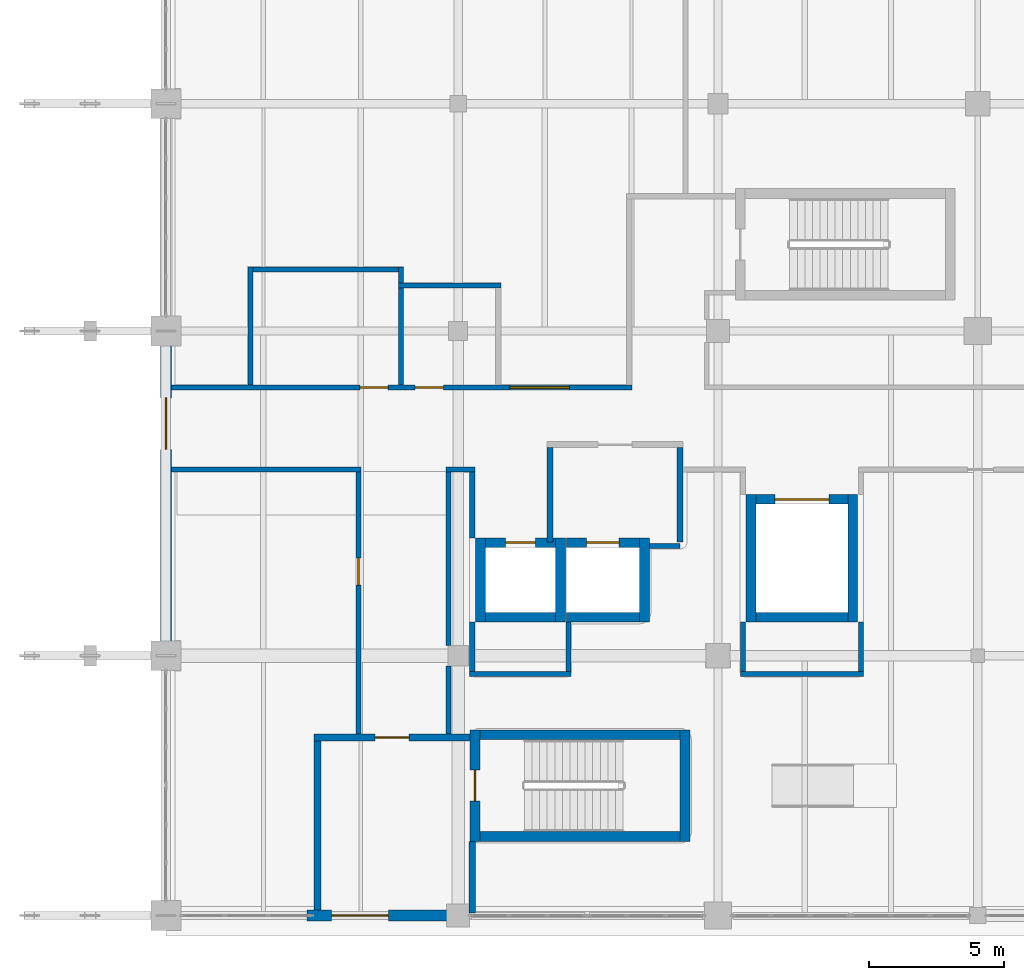
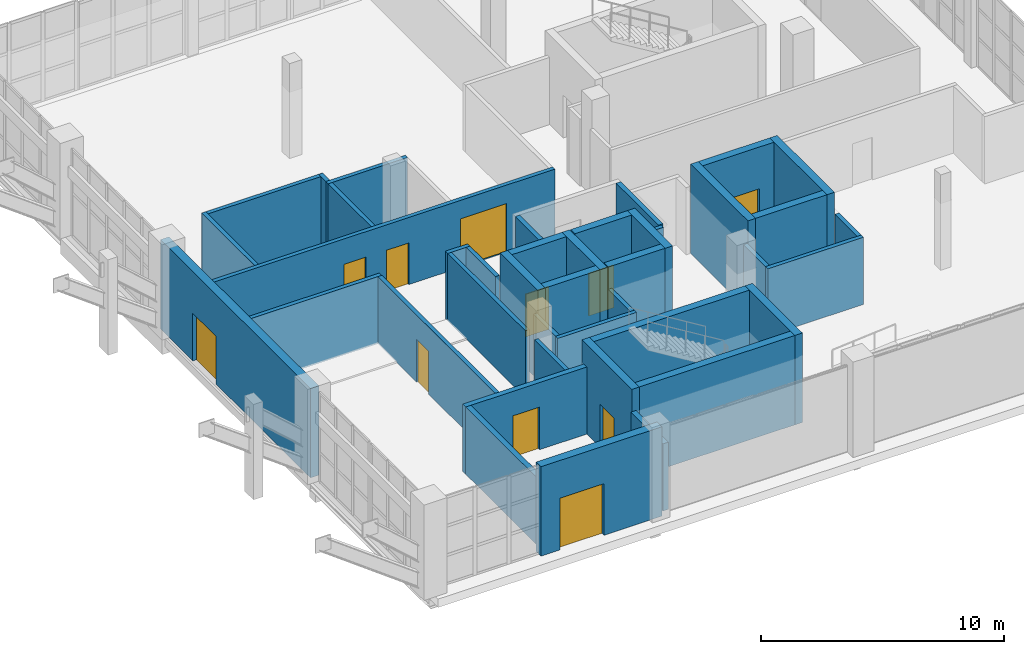
# One storey, part 98 of 121: 40 walls, 11 doors, 11 openings.
"""IFC4 building model written with IfcOpenShell, lengths in metres."""

import ifcopenshell
import ifcopenshell.guid

model = None  # the IFC model being written
_history = None  # IfcOwnerHistory: only IFC2X3 demands one
_inside = {}  # id of a spatial element -> (the spatial element, [elements in it])
_under = {}  # id of a project, library or spatial element -> (it, [spatial elements below it])
_declared = {}  # id of a project -> (the project, [libraries it declares])
_typed = {}  # id of a type object -> (the type object, [elements of that type])
_made_of = {}  # id of a material, layer set ... -> (it, [elements and type objects made of it])


def new_model(schema):
    """Start an empty IFC model of exactly this schema.

    Asked for "IFC4X3", IfcOpenShell would pick the latest addendum, in which some entities
    have other attributes; the version numbers below select the first issue.
    IFC2X3 requires an IfcOwnerHistory on every rooted entity: one is made here for all.
    """
    global model, _history
    if schema == "IFC4X3":
        model = ifcopenshell.file(schema_version=(4, 3, 0, 0))
    else:
        model = ifcopenshell.file(schema=schema)
    _inside.clear()
    _under.clear()
    _declared.clear()
    _typed.clear()
    _made_of.clear()
    _history = None
    if model.schema == "IFC2X3":
        org = make("IfcOrganization", Name="unknown")
        user = make(
            "IfcPersonAndOrganization",
            ThePerson=make("IfcPerson", FamilyName="unknown"),
            TheOrganization=org,
        )
        app = make(
            "IfcApplication",
            ApplicationDeveloper=org,
            Version="unknown",
            ApplicationFullName="unknown",
            ApplicationIdentifier="unknown",
        )
        _history = make(
            "IfcOwnerHistory",
            OwningUser=user,
            OwningApplication=app,
            ChangeAction="ADDED",
            CreationDate=0,
        )
    return model


def make(cls, **values):
    """One entity of the class cls with the attributes given. An attribute that is None is left unset."""
    return model.create_entity(
        cls, **{name: value for name, value in values.items() if value is not None}
    )


def rooted(cls, **values):
    """An entity with a GlobalId (a new one), such as an element, a storey or a relation."""
    return make(cls, GlobalId=ifcopenshell.guid.new(), OwnerHistory=_history, **values)


def si_unit(unit_type, name, prefix=None):
    """IfcSIUnit, for example si_unit("LENGTHUNIT", "METRE", prefix="MILLI")."""
    return make("IfcSIUnit", UnitType=unit_type, Prefix=prefix, Name=name)


def assignment(units):
    """IfcUnitAssignment: the units of a project."""
    return None if units is None else make("IfcUnitAssignment", Units=units)


def point(xyz):
    """IfcCartesianPoint."""
    return None if xyz is None else make("IfcCartesianPoint", Coordinates=xyz)


def direction(xyz):
    """IfcDirection."""
    return None if xyz is None else make("IfcDirection", DirectionRatios=xyz)


def frame(location, z_axis=None, x_axis=None):
    """IfcAxis2Placement3D, a coordinate frame: its origin and axes. An axis left out is left unset."""
    return make(
        "IfcAxis2Placement3D",
        Location=point(location),
        Axis=direction(z_axis),
        RefDirection=direction(x_axis),
    )


def frame_2d(location, x_axis=None):
    """IfcAxis2Placement2D, a coordinate frame in the plane: its origin and x axis."""
    return make(
        "IfcAxis2Placement2D", Location=point(location), RefDirection=direction(x_axis)
    )


def origin():
    """The frame at (0, 0, 0) with its axes left unset."""
    return frame((0.0, 0.0, 0.0))


def place(relative_to, where):
    """IfcLocalPlacement: puts the frame where relative to a parent placement (None: the world)."""
    return make(
        "IfcLocalPlacement", PlacementRelTo=relative_to, RelativePlacement=where
    )


def context(
    kind, dimensions, precision=None, world=None, true_north=None, identifier=None
):
    """IfcGeometricRepresentationContext, for example the 3D "Model" context."""
    return make(
        "IfcGeometricRepresentationContext",
        ContextIdentifier=identifier,
        ContextType=kind,
        CoordinateSpaceDimension=dimensions,
        Precision=precision,
        WorldCoordinateSystem=world,
        TrueNorth=true_north,
    )


def subcontext(parent, identifier, kind, view, scale=None):
    """IfcGeometricRepresentationSubContext, for example "Body" below "Model"."""
    return make(
        "IfcGeometricRepresentationSubContext",
        ContextIdentifier=identifier,
        ContextType=kind,
        ParentContext=parent,
        TargetScale=scale,
        TargetView=view,
    )


def project(units=None, contexts=None):
    """IfcProject with its units and contexts."""
    return rooted(
        "IfcProject",
        Name="project",
        RepresentationContexts=contexts,
        UnitsInContext=assignment(units),
    )


def spatial(cls, under=None, at=None, **own):
    """A site, building, storey or space (cls), placed at a placement, below another one or the project."""
    s = rooted(cls, ObjectPlacement=at, **own)
    if under is not None:
        _under.setdefault(under.id(), (under, []))[1].append(s)
    return s


def profile(cls, at=None, kind="AREA", **sizes):
    """A parametric profile (cls). Its sizes go by their IFC names, for example OverallWidth=200.0."""
    return make(cls, ProfileType=kind, Position=at, **sizes)


def rectangle(**sizes):
    """IfcRectangleProfileDef."""
    return profile("IfcRectangleProfileDef", **sizes)


def extrude(swept, where, along, depth):
    """IfcExtrudedAreaSolid: the profile swept, set in the frame where, extruded along a direction by depth."""
    return make(
        "IfcExtrudedAreaSolid",
        SweptArea=swept,
        Position=where,
        ExtrudedDirection=direction(along),
        Depth=depth,
    )


def shape(context_of_items, identifier, shape_type, items):
    """IfcShapeRepresentation: the items that make up one representation, for example the "Body"."""
    return make(
        "IfcShapeRepresentation",
        ContextOfItems=context_of_items,
        RepresentationIdentifier=identifier,
        RepresentationType=shape_type,
        Items=items,
    )


def material(Name=None, Category=None):
    """IfcMaterial."""
    return make("IfcMaterial", Name=Name, Category=Category)


def layer(
    of_material, thickness, ventilated=None, Name=None, Category=None, Priority=None
):
    """IfcMaterialLayer: one layer of a wall or slab, of a material (None: an air gap)."""
    return make(
        "IfcMaterialLayer",
        Material=of_material,
        LayerThickness=thickness,
        IsVentilated=ventilated,
        Name=Name,
        Category=Category,
        Priority=Priority,
    )


def layer_set(layers, Name=None):
    """IfcMaterialLayerSet."""
    return make("IfcMaterialLayerSet", MaterialLayers=layers, LayerSetName=Name)


def made_of(thing, what):
    """Note that an element or type object is made of a material, layer set ...; save() writes the relation."""
    if what is not None:
        _made_of.setdefault(what.id(), (what, []))[1].append(thing)
    return thing


def type_object(cls, material=None, **own):
    """A type object (cls), such as IfcWallType, which elements share."""
    return made_of(rooted(cls, **own), material)


def element(
    cls,
    number,
    at=None,
    inside=None,
    cuts=None,
    type_object=None,
    material=None,
    context=None,
    identifier="Body",
    shape_type=None,
    held_by="IfcProductDefinitionShape",
    body=None,
    shapes=None,
    **own,
):
    """One element of the class cls, such as IfcWall. Its Tag is "e" and its number.

    at: its placement. inside: the storey or other place that contains it. cuts: it is an
    opening in that element (IfcRelVoidsElement). A single representation is given by context,
    identifier, shape_type and body (its items); several are given by shapes. held_by: the class
    of the entity that holds the representations. save() writes the other relations.
    """
    e = rooted(cls, Tag="e%d" % number, ObjectPlacement=at, **own)
    if body is not None:
        shapes = [shape(context, identifier, shape_type, body)]
    if shapes is not None:
        e.Representation = make(held_by, Representations=shapes)
    if inside is not None:
        _inside.setdefault(inside.id(), (inside, []))[1].append(e)
    if cuts is not None:
        rooted(
            "IfcRelVoidsElement", RelatingBuildingElement=cuts, RelatedOpeningElement=e
        )
    if type_object is not None:
        _typed.setdefault(type_object.id(), (type_object, []))[1].append(e)
    return made_of(e, material)


def fill(opening, filler):
    """IfcRelFillsElement: the door or window that sits in an opening."""
    return rooted(
        "IfcRelFillsElement",
        RelatingOpeningElement=opening,
        RelatedBuildingElement=filler,
    )


def aggregate(whole, parts):
    """IfcRelAggregates: a whole, such as a stair, and the parts it consists of."""
    return rooted("IfcRelAggregates", RelatingObject=whole, RelatedObjects=parts)


def save(model, path):
    """Write the relations noted so far, then the file.

    IfcRelAggregates (storeys below a building ...), IfcRelContainedInSpatialStructure (elements
    in a storey), IfcRelDefinesByType, IfcRelAssociatesMaterial and IfcRelDeclares: one each for
    every whole, place, type object, material and project.
    """
    for whole, parts in _under.values():
        aggregate(whole, parts)
    for where, things in _inside.values():
        rooted(
            "IfcRelContainedInSpatialStructure",
            RelatedElements=things,
            RelatingStructure=where,
        )
    for kind, things in _typed.values():
        rooted("IfcRelDefinesByType", RelatedObjects=things, RelatingType=kind)
    for what, things in _made_of.values():
        rooted("IfcRelAssociatesMaterial", RelatedObjects=things, RelatingMaterial=what)
    for by, libraries in _declared.values():
        rooted("IfcRelDeclares", RelatingContext=by, RelatedDefinitions=libraries)
    model.write(path)


model = new_model("IFC4")

# Units and contexts
model_context = context("Model", 3, precision=1e-05, world=origin(), true_north=direction((0.0, 1.0)))
body_context = subcontext(model_context, "Body", "Model", "MODEL_VIEW")
ifc_project = project(units=[si_unit("LENGTHUNIT", "METRE"), si_unit("AREAUNIT", "SQUARE_METRE"), si_unit("VOLUMEUNIT", "CUBIC_METRE"), si_unit("PLANEANGLEUNIT", "RADIAN"), si_unit("MASSUNIT", "GRAM", prefix="KILO")], contexts=[model_context])

# Site, building, storey
site_placement = place(None, origin())
site = spatial("IfcSite", under=ifc_project, at=site_placement, CompositionType="ELEMENT")
building_placement = place(site_placement, origin())
building = spatial("IfcBuilding", under=site, at=building_placement, Name="Zereglee Splitstone Museum", CompositionType="ELEMENT")
storey_placement = place(building_placement, origin())
storey = spatial("IfcBuildingStorey", under=building, at=storey_placement, Name="L00", CompositionType="ELEMENT", Elevation=0.0)

# Wall, opening, door
ifc_material_1 = material(Name="Concrete C45/55", Category="concrete")
ifc_layer_1 = layer(ifc_material_1, 0.360107421875)
ifc_layer_set_1 = layer_set([ifc_layer_1], Name="Concrete C45/55")
wall_type_1 = type_object("IfcWallType", Name="CSW-02", PredefinedType="SHEAR", material=ifc_layer_set_1)
wall_1_placement = place(storey_placement, frame((21.02001953125, 2.739990234375, 0.0), z_axis=(0.0, 0.0, 1.0), x_axis=(0.0, 1.0, 0.0)))
wall_1 = element("IfcWall", 1, at=wall_1_placement, inside=storey, type_object=wall_type_1, Name="Stair Core Shear Wall ST-01 L00 West", PredefinedType="SHEAR", context=body_context, shape_type="SweptSolid", body=[
    extrude(rectangle(XDim=4.1201171875, YDim=0.360107421875, at=frame_2d((2.06005859375, 0.0))), origin(), (0.0, 0.0, 1.0), 4.5),
])
opening_1_placement = place(wall_1_placement, frame((1.485107421875, 0.0, 0.0)))
opening_1 = element("IfcOpeningElement", 2, at=opening_1_placement, cuts=wall_1, Name="Opening ID-03", PredefinedType="OPENING", context=body_context, shape_type="SweptSolid", body=[
    extrude(rectangle(XDim=1.14990234375, YDim=2.14990234375, at=frame_2d((0.574951171875, 1.074951171875))), frame((0.0, 0.19482421875, 0.0), z_axis=(0.0, -1.0, 0.0), x_axis=(1.0, 0.0, 0.0)), (0.0, 0.0, 1.0), 0.389892578125),
])
ifc_material_2 = material(Name="Fire-rated steel and Siberian larch leaf", Category="steel")
door_type_1 = type_object("IfcDoorType", Name="ID-03", OperationType="NOTDEFINED", PredefinedType="DOOR", material=ifc_material_2)
door_1_placement = place(opening_1_placement, origin())
door_1 = element("IfcDoor", 3, at=door_1_placement, inside=storey, type_object=door_type_1, Name="Protected Stair Fire Door ST-01 L00", OperationType="SINGLE_SWING_RIGHT", OverallHeight=2.14990234375, OverallWidth=1.14990234375, PredefinedType="DOOR", context=body_context, shape_type="SweptSolid", body=[
    extrude(rectangle(XDim=1.14990234375, YDim=2.14990234375, at=frame_2d((0.574951171875, 1.074951171875))), frame((0.0, 0.02490234375, 0.0), z_axis=(0.0, -1.0, 0.0), x_axis=(1.0, 0.0, 0.0)), (0.0, 0.0, 1.0), 0.050048828125),
])
fill(opening_1, door_1)

# Walls
wall_2_placement = place(storey_placement, frame((28.780029296875, 2.739990234375, 0.0), z_axis=(0.0, 0.0, 1.0), x_axis=(0.0, 1.0, 0.0)))
element("IfcWall", 4, at=wall_2_placement, inside=storey, type_object=wall_type_1, Name="Stair Core Shear Wall ST-01 L00 East", PredefinedType="SHEAR", context=body_context, shape_type="SweptSolid", body=[
    extrude(rectangle(XDim=4.1201171875, YDim=0.360107421875, at=frame_2d((2.06005859375, 0.0))), origin(), (0.0, 0.0, 1.0), 4.5),
])
for number, where, z_axis, x_axis, name in (
    (5, (21.199951171875, 6.679931640625, 0.0), (0.0, 0.0, 1.0), (1.0, 0.0, 0.0), "Stair Core Shear Wall ST-01 L00 North"),
    (6, (21.199951171875, 2.919921875, 0.0), (0.0, 0.0, 1.0), (1.0, 0.0, 0.0), "Stair Core Shear Wall ST-01 L00 South"),
):
    element("IfcWall", number, at=place(storey_placement, frame(where, z_axis=z_axis, x_axis=x_axis)), inside=storey, type_object=wall_type_1, Name=name, PredefinedType="SHEAR", context=body_context, shape_type="SweptSolid", body=[
        extrude(rectangle(XDim=7.400146484375, YDim=0.360107421875, at=frame_2d((3.7001953125, 0.0))), origin(), (0.0, 0.0, 1.0), 4.5),
    ])

# Wall, opening, door
wall_3_placement = place(storey_placement, frame((21.39990234375, 13.780029296875, 0.0), z_axis=(0.0, 0.0, 1.0), x_axis=(1.0, 0.0, 0.0)))
wall_3 = element("IfcWall", 7, at=wall_3_placement, inside=storey, type_object=wall_type_1, Name="Lift Shaft Wall PL-01 L00 North", PredefinedType="SHEAR", context=body_context, shape_type="SweptSolid", body=[
    extrude(rectangle(XDim=2.60009765625, YDim=0.360107421875, at=frame_2d((1.300048828125, 0.0))), origin(), (0.0, 0.0, 1.0), 4.5),
])
opening_2_placement = place(wall_3_placement, frame((0.75, 0.0, 0.0)))
opening_2 = element("IfcOpeningElement", 8, at=opening_2_placement, cuts=wall_3, Name="Opening LD-01", PredefinedType="OPENING", context=body_context, shape_type="SweptSolid", body=[
    extrude(rectangle(XDim=1.10009765625, YDim=2.14990234375, at=frame_2d((0.550048828125, 1.074951171875))), frame((0.0, 0.19482421875, 0.0), z_axis=(0.0, -1.0, 0.0), x_axis=(1.0, 0.0, 0.0)), (0.0, 0.0, 1.0), 0.389892578125),
])
door_type_2 = type_object("IfcDoorType", Name="LD-01", OperationType="DOUBLE_DOOR_SLIDING", PredefinedType="DOOR", material=ifc_material_2)
door_2_placement = place(opening_2_placement, origin())
door_2 = element("IfcDoor", 9, at=door_2_placement, inside=storey, type_object=door_type_2, Name="Lift Landing Sliding Door PL-01 L00", OperationType="DOUBLE_DOOR_SLIDING", OverallHeight=2.14990234375, OverallWidth=1.10009765625, PredefinedType="DOOR", context=body_context, shape_type="SweptSolid", body=[
    extrude(rectangle(XDim=1.10009765625, YDim=2.14990234375, at=frame_2d((0.550048828125, 1.074951171875))), frame((0.0, 0.02490234375, 0.0), z_axis=(0.0, -1.0, 0.0), x_axis=(1.0, 0.0, 0.0)), (0.0, 0.0, 1.0), 0.050048828125),
])
fill(opening_2, door_2)

# Walls
wall_4_placement = place(storey_placement, frame((21.39990234375, 11.02001953125, 0.0), z_axis=(0.0, 0.0, 1.0), x_axis=(1.0, 0.0, 0.0)))
element("IfcWall", 10, at=wall_4_placement, inside=storey, type_object=wall_type_1, Name="Lift Shaft Wall PL-01 L00 South", PredefinedType="SHEAR", context=body_context, shape_type="SweptSolid", body=[
    extrude(rectangle(XDim=2.60009765625, YDim=0.360107421875, at=frame_2d((1.300048828125, 0.0))), origin(), (0.0, 0.0, 1.0), 4.5),
])
for number, where, z_axis, x_axis, name in (
    (11, (21.219970703125, 10.840087890625, 0.0), (0.0, 0.0, 1.0), (0.0, 1.0, 0.0), "Lift Shaft Wall PL-01 L00 West"),
    (12, (24.179931640625, 10.840087890625, 0.0), (0.0, 0.0, 1.0), (0.0, 1.0, 0.0), "Lift Shaft Wall PL-01 L00 East"),
):
    element("IfcWall", number, at=place(storey_placement, frame(where, z_axis=z_axis, x_axis=x_axis)), inside=storey, type_object=wall_type_1, Name=name, PredefinedType="SHEAR", context=body_context, shape_type="SweptSolid", body=[
        extrude(rectangle(XDim=3.119873046875, YDim=0.360107421875, at=frame_2d((1.56005859375, 0.0))), origin(), (0.0, 0.0, 1.0), 4.5),
    ])

# Wall, opening, door
wall_5_placement = place(storey_placement, frame((24.39990234375, 13.780029296875, 0.0), z_axis=(0.0, 0.0, 1.0), x_axis=(1.0, 0.0, 0.0)))
wall_5 = element("IfcWall", 13, at=wall_5_placement, inside=storey, type_object=wall_type_1, Name="Lift Shaft Wall FL-01 L00 North", PredefinedType="SHEAR", context=body_context, shape_type="SweptSolid", body=[
    extrude(rectangle(XDim=2.7001953125, YDim=0.360107421875, at=frame_2d((1.35009765625, 0.0))), origin(), (0.0, 0.0, 1.0), 4.5),
])
opening_3_placement = place(wall_5_placement, frame((0.75, 0.0, 0.0)))
opening_3 = element("IfcOpeningElement", 14, at=opening_3_placement, cuts=wall_5, Name="Opening LD-02", PredefinedType="OPENING", context=body_context, shape_type="SweptSolid", body=[
    extrude(rectangle(XDim=1.199951171875, YDim=2.14990234375, at=frame_2d((0.60009765625, 1.074951171875))), frame((0.0, 0.19482421875, 0.0), z_axis=(0.0, -1.0, 0.0), x_axis=(1.0, 0.0, 0.0)), (0.0, 0.0, 1.0), 0.389892578125),
])
door_type_3 = type_object("IfcDoorType", Name="LD-02", OperationType="DOUBLE_DOOR_SLIDING", PredefinedType="DOOR", material=ifc_material_2)
door_3_placement = place(opening_3_placement, origin())
door_3 = element("IfcDoor", 15, at=door_3_placement, inside=storey, type_object=door_type_3, Name="Lift Landing Sliding Door FL-01 L00", OperationType="DOUBLE_DOOR_SLIDING", OverallHeight=2.14990234375, OverallWidth=1.199951171875, PredefinedType="DOOR", context=body_context, shape_type="SweptSolid", body=[
    extrude(rectangle(XDim=1.199951171875, YDim=2.14990234375, at=frame_2d((0.60009765625, 1.074951171875))), frame((0.0, 0.02490234375, 0.0), z_axis=(0.0, -1.0, 0.0), x_axis=(1.0, 0.0, 0.0)), (0.0, 0.0, 1.0), 0.050048828125),
])
fill(opening_3, door_3)

# Walls
wall_6_placement = place(storey_placement, frame((24.39990234375, 11.02001953125, 0.0), z_axis=(0.0, 0.0, 1.0), x_axis=(1.0, 0.0, 0.0)))
element("IfcWall", 16, at=wall_6_placement, inside=storey, type_object=wall_type_1, Name="Lift Shaft Wall FL-01 L00 South", PredefinedType="SHEAR", context=body_context, shape_type="SweptSolid", body=[
    extrude(rectangle(XDim=2.7001953125, YDim=0.360107421875, at=frame_2d((1.35009765625, 0.0))), origin(), (0.0, 0.0, 1.0), 4.5),
])
wall_7_placement = place(storey_placement, frame((27.280029296875, 10.840087890625, 0.0), z_axis=(0.0, 0.0, 1.0), x_axis=(0.0, 1.0, 0.0)))
element("IfcWall", 17, at=wall_7_placement, inside=storey, type_object=wall_type_1, Name="Lift Shaft Wall FL-01 L00 East", PredefinedType="SHEAR", context=body_context, shape_type="SweptSolid", body=[
    extrude(rectangle(XDim=3.119873046875, YDim=0.360107421875, at=frame_2d((1.56005859375, 0.0))), origin(), (0.0, 0.0, 1.0), 4.5),
])

# Wall, opening, door
wall_8_placement = place(storey_placement, frame((31.39990234375, 15.3798828125, 0.0), z_axis=(0.0, 0.0, 1.0), x_axis=(1.0, 0.0, 0.0)))
wall_8 = element("IfcWall", 18, at=wall_8_placement, inside=storey, type_object=wall_type_1, Name="Lift Shaft Wall GL-02 L00 North", PredefinedType="SHEAR", context=body_context, shape_type="SweptSolid", body=[
    extrude(rectangle(XDim=3.400146484375, YDim=0.360107421875, at=frame_2d((1.7001953125, 0.0))), origin(), (0.0, 0.0, 1.0), 4.5),
])
opening_4_placement = place(wall_8_placement, frame((0.699951171875, 0.0, 0.0)))
opening_4 = element("IfcOpeningElement", 19, at=opening_4_placement, cuts=wall_8, Name="Opening LD-03", PredefinedType="OPENING", context=body_context, shape_type="SweptSolid", body=[
    extrude(rectangle(XDim=2.0, YDim=2.39990234375, at=frame_2d((1.0, 1.199951171875))), frame((0.0, 0.19482421875, 0.0), z_axis=(0.0, -1.0, 0.0), x_axis=(1.0, 0.0, 0.0)), (0.0, 0.0, 1.0), 0.389892578125),
])
door_type_4 = type_object("IfcDoorType", Name="LD-03", OperationType="DOUBLE_DOOR_SLIDING", PredefinedType="DOOR", material=ifc_material_2)
door_4_placement = place(opening_4_placement, origin())
door_4 = element("IfcDoor", 20, at=door_4_placement, inside=storey, type_object=door_type_4, Name="Lift Landing Sliding Door GL-02 L00", OperationType="DOUBLE_DOOR_SLIDING", OverallHeight=2.39990234375, OverallWidth=2.0, PredefinedType="DOOR", context=body_context, shape_type="SweptSolid", body=[
    extrude(rectangle(XDim=2.0, YDim=2.39990234375, at=frame_2d((1.0, 1.199951171875))), frame((0.0, 0.02490234375, 0.0), z_axis=(0.0, -1.0, 0.0), x_axis=(1.0, 0.0, 0.0)), (0.0, 0.0, 1.0), 0.050048828125),
])
fill(opening_4, door_4)

# Walls
wall_9_placement = place(storey_placement, frame((31.39990234375, 11.02001953125, 0.0), z_axis=(0.0, 0.0, 1.0), x_axis=(1.0, 0.0, 0.0)))
element("IfcWall", 21, at=wall_9_placement, inside=storey, type_object=wall_type_1, Name="Lift Shaft Wall GL-02 L00 South", PredefinedType="SHEAR", context=body_context, shape_type="SweptSolid", body=[
    extrude(rectangle(XDim=3.400146484375, YDim=0.360107421875, at=frame_2d((1.7001953125, 0.0))), origin(), (0.0, 0.0, 1.0), 4.5),
])
for number, where, z_axis, x_axis, name in (
    (22, (31.219970703125, 10.840087890625, 0.0), (0.0, 0.0, 1.0), (0.0, 1.0, 0.0), "Lift Shaft Wall GL-02 L00 West"),
    (23, (34.97998046875, 10.840087890625, 0.0), (0.0, 0.0, 1.0), (0.0, 1.0, 0.0), "Lift Shaft Wall GL-02 L00 East"),
):
    element("IfcWall", number, at=place(storey_placement, frame(where, z_axis=z_axis, x_axis=x_axis)), inside=storey, type_object=wall_type_1, Name=name, PredefinedType="SHEAR", context=body_context, shape_type="SweptSolid", body=[
        extrude(rectangle(XDim=4.719970703125, YDim=0.360107421875, at=frame_2d((2.35986328125, 0.0))), origin(), (0.0, 0.0, 1.0), 4.5),
    ])

# Wall, opening, door
ifc_material_3 = material(Name="Concrete C40/50", Category="concrete")
ifc_layer_2 = layer(ifc_material_3, 0.39990234375)
ifc_layer_set_2 = layer_set([ifc_layer_2], Name="Concrete C40/50")
wall_type_2 = type_object("IfcWallType", Name="EW-02", PredefinedType="STANDARD", material=ifc_layer_set_2)
wall_10_placement = place(storey_placement, frame((9.60009765625, 21.780029296875, 0.0), z_axis=(0.0, 0.0, 1.0), x_axis=(0.0, -1.0, 0.0)))
wall_10 = element("IfcWall", 24, at=wall_10_placement, inside=storey, type_object=wall_type_2, Name="Exterior Backup Wall RC4-EW-L00-0009", PredefinedType="STANDARD", context=body_context, shape_type="SweptSolid", body=[
    extrude(rectangle(XDim=12.360107421875, YDim=0.39990234375, at=frame_2d((6.18017578125, 0.0))), origin(), (0.0, 0.0, 1.0), 4.5),
])
opening_5_placement = place(wall_10_placement, frame((2.64990234375, 0.0, 0.0)))
opening_5 = element("IfcOpeningElement", 25, at=opening_5_placement, cuts=wall_10, Name="Opening ED-03", PredefinedType="OPENING", context=body_context, shape_type="SweptSolid", body=[
    extrude(rectangle(XDim=1.89990234375, YDim=2.39990234375, at=frame_2d((0.949951171875, 1.199951171875))), frame((0.0, 0.21484375, 0.0), z_axis=(0.0, -1.0, 0.0), x_axis=(1.0, 0.0, 0.0)), (0.0, 0.0, 1.0), 0.4296875),
])
ifc_material_4 = material(Name="Insulated galvanised steel S250GD", Category="steel")
door_type_5 = type_object("IfcDoorType", Name="ED-03", OperationType="DOUBLE_DOOR_SINGLE_SWING", PredefinedType="DOOR", material=ifc_material_4)
door_5_placement = place(opening_5_placement, frame((1.89990234375, 0.0, 0.0), z_axis=(0.0, 0.0, 1.0), x_axis=(-1.0, 0.0, 0.0)))
door_5 = element("IfcDoor", 26, at=door_5_placement, inside=storey, type_object=door_type_5, Name="Ground Protected Exit Door ED-L00-08", OperationType="DOUBLE_DOOR_SINGLE_SWING", OverallHeight=2.39990234375, OverallWidth=1.89990234375, PredefinedType="DOOR", context=body_context, shape_type="SweptSolid", body=[
    extrude(rectangle(XDim=1.89990234375, YDim=2.39990234375, at=frame_2d((0.949951171875, 1.199951171875))), frame((0.0, 0.02490234375, 0.0), z_axis=(0.0, -1.0, 0.0), x_axis=(1.0, 0.0, 0.0)), (0.0, 0.0, 1.0), 0.050048828125),
])
fill(opening_5, door_5)

wall_11_placement = place(storey_placement, frame((14.820068359375, 0.0, 0.0), z_axis=(0.0, 0.0, 1.0), x_axis=(1.0, 0.0, 0.0)))
wall_11 = element("IfcWall", 27, at=wall_11_placement, inside=storey, type_object=wall_type_2, Name="Exterior Backup Wall RC4-EW-L00-0010", PredefinedType="STANDARD", context=body_context, shape_type="SweptSolid", body=[
    extrude(rectangle(XDim=5.760009765625, YDim=0.39990234375, at=frame_2d((2.8798828125, 0.0))), origin(), (0.0, 0.0, 1.0), 4.5),
])
opening_6_placement = place(wall_11_placement, frame((0.89990234375, 0.0, 0.0)))
opening_6 = element("IfcOpeningElement", 28, at=opening_6_placement, cuts=wall_11, Name="Opening ED-02", PredefinedType="OPENING", context=body_context, shape_type="SweptSolid", body=[
    extrude(rectangle(XDim=2.10009765625, YDim=2.60009765625, at=frame_2d((1.050048828125, 1.300048828125))), frame((0.0, 0.21484375, 0.0), z_axis=(0.0, -1.0, 0.0), x_axis=(1.0, 0.0, 0.0)), (0.0, 0.0, 1.0), 0.4296875),
])
ifc_material_5 = material(Name="Anodised bronze-clad thermally broken aluminium", Category="aluminium")
door_type_6 = type_object("IfcDoorType", Name="ED-02", OperationType="DOUBLE_DOOR_SINGLE_SWING", PredefinedType="DOOR", material=ifc_material_5)
door_6_placement = place(opening_6_placement, frame((2.10009765625, 0.0, 0.0), z_axis=(0.0, 0.0, 1.0), x_axis=(-1.0, 0.0, 0.0)))
door_6 = element("IfcDoor", 29, at=door_6_placement, inside=storey, type_object=door_type_6, Name="Ground Protected Exit Door ED-L00-09", OperationType="DOUBLE_DOOR_SINGLE_SWING", OverallHeight=2.60009765625, OverallWidth=2.10009765625, PredefinedType="DOOR", context=body_context, shape_type="SweptSolid", body=[
    extrude(rectangle(XDim=2.10009765625, YDim=2.60009765625, at=frame_2d((1.050048828125, 1.300048828125))), frame((0.0, 0.02490234375, 0.0), z_axis=(0.0, -1.0, 0.0), x_axis=(1.0, 0.0, 0.0)), (0.0, 0.0, 1.0), 0.050048828125),
])
fill(opening_6, door_6)

ifc_layer_3 = layer(ifc_material_3, 0.25)
ifc_layer_set_3 = layer_set([ifc_layer_3], Name="Concrete C40/50")
wall_type_3 = type_object("IfcWallType", Name="IW-03", PredefinedType="PARTITIONING", material=ifc_layer_set_3)
wall_12_placement = place(storey_placement, frame((15.074951171875, 6.580078125, 0.0), z_axis=(0.0, 0.0, 1.0), x_axis=(1.0, 0.0, 0.0)))
wall_12 = element("IfcWall", 30, at=wall_12_placement, inside=storey, type_object=wall_type_3, Name="Interior Partition L00-0158 (Protected Exit Passageway ST-01)", PredefinedType="PARTITIONING", context=body_context, shape_type="SweptSolid", body=[
    extrude(rectangle(XDim=5.76513671875, YDim=0.25, at=frame_2d((2.882568359375, 0.0))), origin(), (0.0, 0.0, 1.0), 3.3798828125),
])
opening_7_placement = place(wall_12_placement, frame((2.257568359375, 0.0, 0.0)))
opening_7 = element("IfcOpeningElement", 31, at=opening_7_placement, cuts=wall_12, Name="Opening ID-04", PredefinedType="OPENING", context=body_context, shape_type="SweptSolid", body=[
    extrude(rectangle(XDim=1.25, YDim=2.14990234375, at=frame_2d((0.625, 1.074951171875))), frame((0.0, 0.139892578125, 0.0), z_axis=(0.0, -1.0, 0.0), x_axis=(1.0, 0.0, 0.0)), (0.0, 0.0, 1.0), 0.27978515625),
])
door_type_7 = type_object("IfcDoorType", Name="ID-04", OperationType="NOTDEFINED", PredefinedType="DOOR", material=ifc_material_2)
door_7_placement = place(opening_7_placement, frame((1.25, 0.0, 0.0), z_axis=(0.0, 0.0, 1.0), x_axis=(-1.0, 0.0, 0.0)))
door_7 = element("IfcDoor", 32, at=door_7_placement, inside=storey, type_object=door_type_7, Name="Interior Door L00-0024 (Protected Exit Passageway ST-01)", OperationType="SINGLE_SWING_LEFT", OverallHeight=2.14990234375, OverallWidth=1.25, PredefinedType="DOOR", context=body_context, shape_type="SweptSolid", body=[
    extrude(rectangle(XDim=1.25, YDim=2.14990234375, at=frame_2d((0.625, 1.074951171875))), frame((0.0, 0.02490234375, 0.0), z_axis=(0.0, -1.0, 0.0), x_axis=(1.0, 0.0, 0.0)), (0.0, 0.0, 1.0), 0.050048828125),
])
fill(opening_7, door_7)

# Walls
wall_13_placement = place(storey_placement, frame((15.199951171875, 0.199951171875, 0.0), z_axis=(0.0, 0.0, 1.0), x_axis=(0.0, 1.0, 0.0)))
element("IfcWall", 33, at=wall_13_placement, inside=storey, type_object=wall_type_3, Name="Interior Partition L00-0233 (Protected Exit Passageway ST-01)", PredefinedType="PARTITIONING", context=body_context, shape_type="SweptSolid", body=[
    extrude(rectangle(XDim=6.255126953125, YDim=0.25, at=frame_2d((3.12744140625, 0.0))), origin(), (0.0, 0.0, 1.0), 3.3798828125),
])
wall_14_placement = place(storey_placement, frame((20.919921875, 0.090087890625, 0.0), z_axis=(0.0, 0.0, 1.0), x_axis=(0.0, 1.0, 0.0)))
element("IfcWall", 34, at=wall_14_placement, inside=storey, type_object=wall_type_3, Name="Interior Partition L00-0238 (Protected Exit Passageway ST-01)", PredefinedType="PARTITIONING", context=body_context, shape_type="SweptSolid", body=[
    extrude(rectangle(XDim=2.64990234375, YDim=0.25, at=frame_2d((1.324951171875, 0.0))), origin(), (0.0, 0.0, 1.0), 3.3798828125),
])
ifc_material_6 = material(Name="Concrete C35/45", Category="concrete")
ifc_layer_4 = layer(ifc_material_6, 0.219970703125)
ifc_layer_set_4 = layer_set([ifc_layer_4], Name="Concrete C35/45")
wall_type_4 = type_object("IfcWallType", Name="IW-01", PredefinedType="PARTITIONING", material=ifc_layer_set_4)
for number, where, z_axis, x_axis, name in (
    (35, (23.800048828125, 13.800048828125, 0.0), (0.0, 0.0, 1.0), (0.0, 1.0, 0.0), "Firefighting Lobby Wall L00 West"),
    (36, (28.60009765625, 13.800048828125, 0.0), (0.0, 0.0, 1.0), (0.0, 1.0, 0.0), "Firefighting Lobby Wall L00 East"),
):
    element("IfcWall", number, at=place(storey_placement, frame(where, z_axis=z_axis, x_axis=x_axis)), inside=storey, type_object=wall_type_4, Name=name, PredefinedType="PARTITIONING", context=body_context, shape_type="SweptSolid", body=[
        extrude(rectangle(XDim=3.489990234375, YDim=0.219970703125, at=frame_2d((1.7451171875, 0.0))), origin(), (0.0, 0.0, 1.0), 3.3798828125),
    ])
ifc_material_7 = material(Name="Gypsum board on acoustic steel stud", Category="steel")
ifc_layer_5 = layer(ifc_material_7, 0.18994140625)
ifc_layer_set_5 = layer_set([ifc_layer_5], Name="Gypsum board on acoustic steel stud")
wall_type_5 = type_object("IfcWallType", Name="IW-02", PredefinedType="PARTITIONING", material=ifc_layer_set_5)
wall_15_placement = place(storey_placement, frame((20.824951171875, 8.919921875, 0.0), z_axis=(0.0, 0.0, 1.0), x_axis=(1.0, 0.0, 0.0)))
element("IfcWall", 37, at=wall_15_placement, inside=storey, type_object=wall_type_5, Name="Interior Partition L00-0160 (Pishtaq Grand Entrance Foyer)", PredefinedType="PARTITIONING", context=body_context, shape_type="SweptSolid", body=[
    extrude(rectangle(XDim=3.75, YDim=0.18994140625, at=frame_2d((1.875, 0.0))), origin(), (0.0, 0.0, 1.0), 3.3798828125),
])
wall_16_placement = place(storey_placement, frame((30.824951171875, 8.919921875, 0.0), z_axis=(0.0, 0.0, 1.0), x_axis=(1.0, 0.0, 0.0)))
element("IfcWall", 38, at=wall_16_placement, inside=storey, type_object=wall_type_5, Name="Interior Partition L00-0161 (Pishtaq Grand Entrance Foyer)", PredefinedType="PARTITIONING", context=body_context, shape_type="SweptSolid", body=[
    extrude(rectangle(XDim=4.550048828125, YDim=0.18994140625, at=frame_2d((2.27490234375, 0.0))), origin(), (0.0, 0.0, 1.0), 3.3798828125),
])
wall_17_placement = place(storey_placement, frame((27.4599609375, 13.659912109375, 0.0), z_axis=(0.0, 0.0, 1.0), x_axis=(1.0, 0.0, 0.0)))
element("IfcWall", 39, at=wall_17_placement, inside=storey, type_object=wall_type_5, Name="Interior Partition L00-0170 (Pishtaq Grand Entrance Foyer)", PredefinedType="PARTITIONING", context=body_context, shape_type="SweptSolid", body=[
    extrude(rectangle(XDim=1.14013671875, YDim=0.18994140625, at=frame_2d((0.570068359375, 0.0))), origin(), (0.0, 0.0, 1.0), 3.3798828125),
])
wall_18_placement = place(storey_placement, frame((9.800048828125, 16.47998046875, 0.0), z_axis=(0.0, 0.0, 1.0), x_axis=(1.0, 0.0, 0.0)))
element("IfcWall", 40, at=wall_18_placement, inside=storey, type_object=wall_type_5, Name="Interior Partition L00-0173 (Pishtaq Grand Entrance Foyer Suite)", PredefinedType="PARTITIONING", context=body_context, shape_type="SweptSolid", body=[
    extrude(rectangle(XDim=7.014892578125, YDim=0.18994140625, at=frame_2d((3.50732421875, 0.0))), origin(), (0.0, 0.0, 1.0), 3.3798828125),
])
wall_19_placement = place(storey_placement, frame((19.945068359375, 16.47998046875, 0.0), z_axis=(0.0, 0.0, 1.0), x_axis=(1.0, 0.0, 0.0)))
element("IfcWall", 41, at=wall_19_placement, inside=storey, type_object=wall_type_5, Name="Interior Partition L00-0174 (Pishtaq Grand Entrance Foyer)", PredefinedType="PARTITIONING", context=body_context, shape_type="SweptSolid", body=[
    extrude(rectangle(XDim=1.06982421875, YDim=0.18994140625, at=frame_2d((0.534912109375, 0.0))), origin(), (0.0, 0.0, 1.0), 3.3798828125),
])

# Wall, openings, doors
wall_20_placement = place(storey_placement, frame((9.800048828125, 19.52001953125, 0.0), z_axis=(0.0, 0.0, 1.0), x_axis=(1.0, 0.0, 0.0)))
wall_20 = element("IfcWall", 42, at=wall_20_placement, inside=storey, type_object=wall_type_5, Name="Interior Partition L00-0183 (Public Washroom)", PredefinedType="PARTITIONING", context=body_context, shape_type="SweptSolid", body=[
    extrude(rectangle(XDim=17.014892578125, YDim=0.18994140625, at=frame_2d((8.50732421875, 0.0))), origin(), (0.0, 0.0, 1.0), 3.3798828125),
])
opening_8_placement = place(wall_20_placement, frame((6.961669921875, 0.0, 0.0)))
opening_8 = element("IfcOpeningElement", 43, at=opening_8_placement, cuts=wall_20, Name="Opening ID-12", PredefinedType="OPENING", context=body_context, shape_type="SweptSolid", body=[
    extrude(rectangle(XDim=1.050048828125, YDim=2.10009765625, at=frame_2d((0.52490234375, 1.050048828125))), frame((0.0, 0.10986328125, 0.0), z_axis=(0.0, -1.0, 0.0), x_axis=(1.0, 0.0, 0.0)), (0.0, 0.0, 1.0), 0.2197265625),
])
opening_9_placement = place(wall_20_placement, frame((9.00341796875, 0.0, 0.0)))
opening_9 = element("IfcOpeningElement", 44, at=opening_9_placement, cuts=wall_20, Name="Opening ID-12", PredefinedType="OPENING", context=body_context, shape_type="SweptSolid", body=[
    extrude(rectangle(XDim=1.050048828125, YDim=2.10009765625, at=frame_2d((0.52490234375, 1.050048828125))), frame((0.0, 0.10986328125, 0.0), z_axis=(0.0, -1.0, 0.0), x_axis=(1.0, 0.0, 0.0)), (0.0, 0.0, 1.0), 0.2197265625),
])
opening_10_placement = place(wall_20_placement, frame((12.511962890625, 0.0, 0.0)))
opening_10 = element("IfcOpeningElement", 45, at=opening_10_placement, cuts=wall_20, Name="Opening ID-01", PredefinedType="OPENING", context=body_context, shape_type="SweptSolid", body=[
    extrude(rectangle(XDim=2.199951171875, YDim=2.449951171875, at=frame_2d((1.10009765625, 1.22509765625))), frame((0.0, 0.10986328125, 0.0), z_axis=(0.0, -1.0, 0.0), x_axis=(1.0, 0.0, 0.0)), (0.0, 0.0, 1.0), 0.2197265625),
])
ifc_material_8 = material(Name="Siberian larch acoustic timber leaf in bronze-steel frame", Category="steel")
door_type_8 = type_object("IfcDoorType", Name="ID-12", OperationType="NOTDEFINED", PredefinedType="DOOR", material=ifc_material_8)
door_8_placement = place(opening_8_placement, origin())
door_8 = element("IfcDoor", 46, at=door_8_placement, inside=storey, type_object=door_type_8, Name="Interior Door L00-0029 (Public Washroom)", OperationType="SINGLE_SWING_RIGHT", OverallHeight=2.10009765625, OverallWidth=1.050048828125, PredefinedType="DOOR", context=body_context, shape_type="SweptSolid", body=[
    extrude(rectangle(XDim=1.050048828125, YDim=2.10009765625, at=frame_2d((0.52490234375, 1.050048828125))), frame((0.0, 0.02490234375, 0.0), z_axis=(0.0, -1.0, 0.0), x_axis=(1.0, 0.0, 0.0)), (0.0, 0.0, 1.0), 0.050048828125),
])
fill(opening_8, door_8)
door_9_placement = place(opening_9_placement, origin())
door_9 = element("IfcDoor", 47, at=door_9_placement, inside=storey, type_object=door_type_8, Name="Interior Door L00-0030 (Accessible Toilet)", OperationType="SINGLE_SWING_LEFT", OverallHeight=2.10009765625, OverallWidth=1.050048828125, PredefinedType="DOOR", context=body_context, shape_type="SweptSolid", body=[
    extrude(rectangle(XDim=1.050048828125, YDim=2.10009765625, at=frame_2d((0.52490234375, 1.050048828125))), frame((0.0, 0.02490234375, 0.0), z_axis=(0.0, -1.0, 0.0), x_axis=(1.0, 0.0, 0.0)), (0.0, 0.0, 1.0), 0.050048828125),
])
fill(opening_9, door_9)
door_type_9 = type_object("IfcDoorType", Name="ID-01", OperationType="NOTDEFINED", PredefinedType="DOOR", material=ifc_material_2)
door_10_placement = place(opening_10_placement, origin())
door_10 = element("IfcDoor", 48, at=door_10_placement, inside=storey, type_object=door_type_9, Name="Interior Door L00-0034 (Gobi Megafauna Exhibition Hall)", OperationType="DOUBLE_DOOR_SINGLE_SWING", OverallHeight=2.449951171875, OverallWidth=2.199951171875, PredefinedType="DOOR", context=body_context, shape_type="SweptSolid", body=[
    extrude(rectangle(XDim=2.199951171875, YDim=2.449951171875, at=frame_2d((1.10009765625, 1.22509765625))), frame((0.0, 0.02490234375, 0.0), z_axis=(0.0, -1.0, 0.0), x_axis=(1.0, 0.0, 0.0)), (0.0, 0.0, 1.0), 0.050048828125),
])
fill(opening_10, door_10)

# Walls
wall_21_placement = place(storey_placement, frame((18.18505859375, 23.280029296875, 0.0), z_axis=(0.0, 0.0, 1.0), x_axis=(1.0, 0.0, 0.0)))
element("IfcWall", 49, at=wall_21_placement, inside=storey, type_object=wall_type_5, Name="Interior Partition L00-0197 (Accessible Toilet)", PredefinedType="PARTITIONING", context=body_context, shape_type="SweptSolid", body=[
    extrude(rectangle(XDim=3.7900390625, YDim=0.18994140625, at=frame_2d((1.89501953125, 0.0))), origin(), (0.0, 0.0, 1.0), 3.3798828125),
])
wall_22_placement = place(storey_placement, frame((12.625, 23.8798828125, 0.0), z_axis=(0.0, 0.0, 1.0), x_axis=(1.0, 0.0, 0.0)))
element("IfcWall", 50, at=wall_22_placement, inside=storey, type_object=wall_type_5, Name="Interior Partition L00-0198 (Public Washroom)", PredefinedType="PARTITIONING", context=body_context, shape_type="SweptSolid", body=[
    extrude(rectangle(XDim=5.75, YDim=0.18994140625, at=frame_2d((2.875, 0.0))), origin(), (0.0, 0.0, 1.0), 3.3798828125),
])
wall_23_placement = place(storey_placement, frame((12.719970703125, 19.614990234375, 0.0), z_axis=(0.0, 0.0, 1.0), x_axis=(0.0, 1.0, 0.0)))
element("IfcWall", 51, at=wall_23_placement, inside=storey, type_object=wall_type_5, Name="Interior Partition L00-0232 (Public Washroom)", PredefinedType="PARTITIONING", context=body_context, shape_type="SweptSolid", body=[
    extrude(rectangle(XDim=4.35498046875, YDim=0.18994140625, at=frame_2d((2.177490234375, 0.0))), origin(), (0.0, 0.0, 1.0), 3.3798828125),
])

# Wall, opening, door
wall_24_placement = place(storey_placement, frame((16.719970703125, 6.705078125, 0.0), z_axis=(0.0, 0.0, 1.0), x_axis=(0.0, 1.0, 0.0)))
wall_24 = element("IfcWall", 52, at=wall_24_placement, inside=storey, type_object=wall_type_5, Name="Interior Partition L00-0234 (Pishtaq Grand Entrance Foyer Suite)", PredefinedType="PARTITIONING", context=body_context, shape_type="SweptSolid", body=[
    extrude(rectangle(XDim=9.679931640625, YDim=0.18994140625, at=frame_2d((4.83984375, 0.0))), origin(), (0.0, 0.0, 1.0), 3.3798828125),
])
opening_11_placement = place(wall_24_placement, frame((5.501708984375, 0.0, 0.0)))
opening_11 = element("IfcOpeningElement", 53, at=opening_11_placement, cuts=wall_24, Name="Opening ID-10", PredefinedType="OPENING", context=body_context, shape_type="SweptSolid", body=[
    extrude(rectangle(XDim=1.0, YDim=2.14990234375, at=frame_2d((0.5, 1.074951171875))), frame((0.0, 0.10986328125, 0.0), z_axis=(0.0, -1.0, 0.0), x_axis=(1.0, 0.0, 0.0)), (0.0, 0.0, 1.0), 0.2197265625),
])
door_type_10 = type_object("IfcDoorType", Name="ID-10", OperationType="NOTDEFINED", PredefinedType="DOOR", material=ifc_material_8)
door_11_placement = place(opening_11_placement, origin())
door_11 = element("IfcDoor", 54, at=door_11_placement, inside=storey, type_object=door_type_10, Name="Interior Door L00-0033 (Pishtaq Grand Entrance Foyer Suite)", OperationType="SINGLE_SWING_RIGHT", OverallHeight=2.14990234375, OverallWidth=1.0, PredefinedType="DOOR", context=body_context, shape_type="SweptSolid", body=[
    extrude(rectangle(XDim=1.0, YDim=2.14990234375, at=frame_2d((0.5, 1.074951171875))), frame((0.0, 0.02490234375, 0.0), z_axis=(0.0, -1.0, 0.0), x_axis=(1.0, 0.0, 0.0)), (0.0, 0.0, 1.0), 0.050048828125),
])
fill(opening_11, door_11)

# Walls
wall_25_placement = place(storey_placement, frame((18.280029296875, 19.614990234375, 0.0), z_axis=(0.0, 0.0, 1.0), x_axis=(0.0, 1.0, 0.0)))
element("IfcWall", 55, at=wall_25_placement, inside=storey, type_object=wall_type_5, Name="Interior Partition L00-0235 (Public Washroom)", PredefinedType="PARTITIONING", context=body_context, shape_type="SweptSolid", body=[
    extrude(rectangle(XDim=4.35498046875, YDim=0.18994140625, at=frame_2d((2.177490234375, 0.0))), origin(), (0.0, 0.0, 1.0), 3.3798828125),
])
wall_26_placement = place(storey_placement, frame((20.0400390625, 6.705078125, 0.0), z_axis=(0.0, 0.0, 1.0), x_axis=(0.0, 1.0, 0.0)))
element("IfcWall", 56, at=wall_26_placement, inside=storey, type_object=wall_type_5, Name="Interior Partition L00-0236 (Pishtaq Grand Entrance Foyer)", PredefinedType="PARTITIONING", context=body_context, shape_type="SweptSolid", body=[
    extrude(rectangle(XDim=2.52001953125, YDim=0.18994140625, at=frame_2d((1.260009765625, 0.0))), origin(), (0.0, 0.0, 1.0), 3.3798828125),
])
wall_27_placement = place(storey_placement, frame((20.0400390625, 9.97509765625, 0.0), z_axis=(0.0, 0.0, 1.0), x_axis=(0.0, 1.0, 0.0)))
element("IfcWall", 57, at=wall_27_placement, inside=storey, type_object=wall_type_5, Name="Interior Partition L00-0237 (Pishtaq Grand Entrance Foyer)", PredefinedType="PARTITIONING", context=body_context, shape_type="SweptSolid", body=[
    extrude(rectangle(XDim=6.409912109375, YDim=0.18994140625, at=frame_2d((3.205078125, 0.0))), origin(), (0.0, 0.0, 1.0), 3.3798828125),
])
wall_28_placement = place(storey_placement, frame((20.919921875, 9.014892578125, 0.0), z_axis=(0.0, 0.0, 1.0), x_axis=(0.0, 1.0, 0.0)))
element("IfcWall", 58, at=wall_28_placement, inside=storey, type_object=wall_type_5, Name="Interior Partition L00-0239 (Pishtaq Grand Entrance Foyer)", PredefinedType="PARTITIONING", context=body_context, shape_type="SweptSolid", body=[
    extrude(rectangle(XDim=1.8251953125, YDim=0.18994140625, at=frame_2d((0.91259765625, 0.0))), origin(), (0.0, 0.0, 1.0), 3.3798828125),
])
wall_29_placement = place(storey_placement, frame((20.919921875, 13.9599609375, 0.0), z_axis=(0.0, 0.0, 1.0), x_axis=(0.0, 1.0, 0.0)))
element("IfcWall", 59, at=wall_29_placement, inside=storey, type_object=wall_type_5, Name="Interior Partition L00-0240 (Pishtaq Grand Entrance Foyer)", PredefinedType="PARTITIONING", context=body_context, shape_type="SweptSolid", body=[
    extrude(rectangle(XDim=2.425048828125, YDim=0.18994140625, at=frame_2d((1.21240234375, 0.0))), origin(), (0.0, 0.0, 1.0), 3.3798828125),
])
for number, where, z_axis, x_axis, name in (
    (60, (24.47998046875, 9.014892578125, 0.0), (0.0, 0.0, 1.0), (0.0, 1.0, 0.0), "Interior Partition L00-0242 (Pishtaq Grand Entrance Foyer)"),
    (61, (30.919921875, 9.014892578125, 0.0), (0.0, 0.0, 1.0), (0.0, 1.0, 0.0), "Interior Partition L00-0247 (Pishtaq Grand Entrance Foyer)"),
    (62, (35.280029296875, 9.014892578125, 0.0), (0.0, 0.0, 1.0), (0.0, 1.0, 0.0), "Interior Partition L00-0249 (Pishtaq Grand Entrance Foyer)"),
):
    element("IfcWall", number, at=place(storey_placement, frame(where, z_axis=z_axis, x_axis=x_axis)), inside=storey, type_object=wall_type_5, Name=name, PredefinedType="PARTITIONING", context=body_context, shape_type="SweptSolid", body=[
        extrude(rectangle(XDim=1.8251953125, YDim=0.18994140625, at=frame_2d((0.91259765625, 0.0))), origin(), (0.0, 0.0, 1.0), 3.3798828125),
    ])

save(model, "model.ifc")
